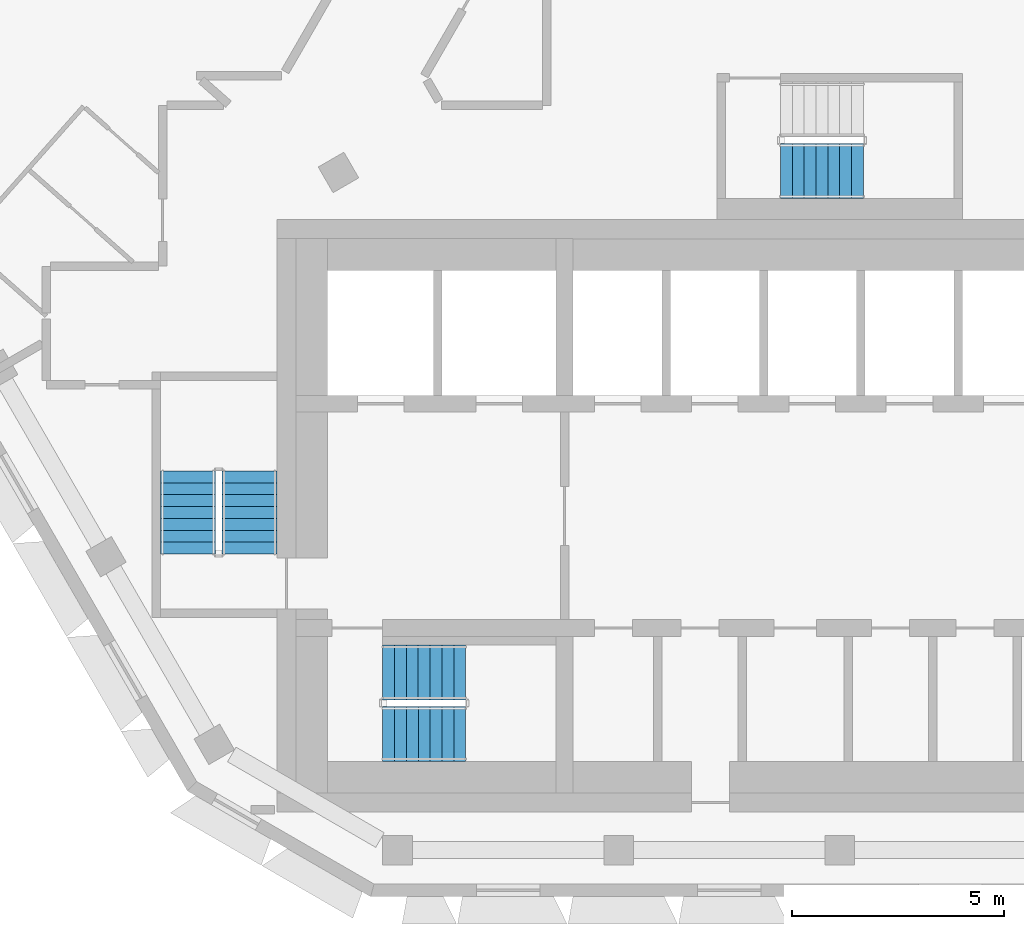
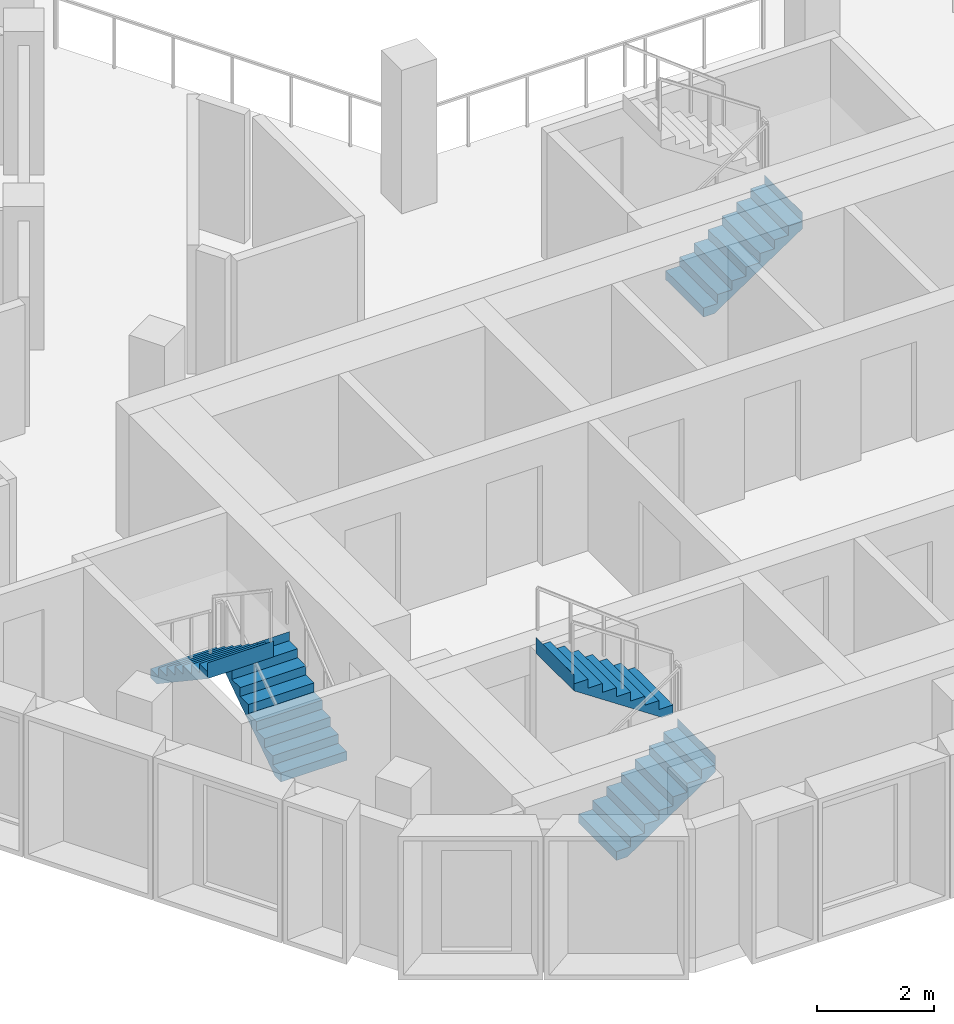
# One storey, part 8 of 14: 5 stair flights, 3 elements without a shape of their own.
"""IFC4 building model written with IfcOpenShell, lengths in metres."""

from ifc_helpers import new_model, si_unit, direction, frame, origin, place, context, subcontext, project, spatial, triangles, material, type_object, element, aggregate, save


model = new_model("IFC4")

# Units and contexts
model_context = context("Model", 3, precision=1e-05, world=origin(), true_north=direction((0.0, 1.0)))
body_context = subcontext(model_context, "Body", "Model", "MODEL_VIEW")
ifc_project = project(units=[si_unit("LENGTHUNIT", "METRE"), si_unit("AREAUNIT", "SQUARE_METRE"), si_unit("VOLUMEUNIT", "CUBIC_METRE"), si_unit("PLANEANGLEUNIT", "RADIAN"), si_unit("MASSUNIT", "GRAM", prefix="KILO")], contexts=[model_context])

# Site, building, storey
site_placement = place(None, origin())
site = spatial("IfcSite", under=ifc_project, at=site_placement, CompositionType="ELEMENT")
building_placement = place(site_placement, origin())
building = spatial("IfcBuilding", under=site, at=building_placement, Name="Beryl Residences", CompositionType="ELEMENT")
storey_placement = place(building_placement, frame((0.0, 0.0, 229.800048828125)))
storey = spatial("IfcBuildingStorey", under=building, at=storey_placement, Name="L71", CompositionType="ELEMENT", Elevation=229.800048828125)

# Stair, stair flights
ifc_material_1 = material(Name="Concrete C40/50", Category="concrete")
stair_type = type_object("IfcStairType", Name="ST1 protected exit stair, half-turn, 1300 mm flights", PredefinedType="HALF_TURN_STAIR", material=ifc_material_1)
stair_1_placement = place(storey_placement, origin())
stair_1 = element("IfcStair", 1, at=stair_1_placement, inside=storey, type_object=stair_type, Name="L71 PROTECTED EXIT STAIR ST-1", PredefinedType="HALF_TURN_STAIR")
ifc_material_2 = material(Name="Concrete C40/50", Category="concrete")
stair_flight_type = type_object("IfcStairFlightType", Name="SF1 stair flight 1300 mm", PredefinedType="STRAIGHT", material=ifc_material_2)
stair_flight_1_placement = place(storey_placement, frame((-10.800048828125, -17.14990234375, 0.0), z_axis=(0.0, 0.0, 1.0), x_axis=(1.0, 0.0, 0.0)))
stair_flight_1 = element("IfcStairFlight", 2, at=stair_flight_1_placement, type_object=stair_flight_type, Name="ST-1 flight 1", NumberOfRisers=8, NumberOfTreads=7, PredefinedType="STRAIGHT", RiserHeight=0.1875, TreadLength=0.28, context=body_context, shape_type="Tessellation", body=[
    triangles([(0.0, -0.64990234375, 0.0), (0.0, -0.324951171875, 0.0), (0.0, 0.0, 0.0), (0.0, 0.324951171875, 0.0), (0.0, 0.64990234375, 0.0), (0.0, -0.64990234375, 0.1875), (0.0, -0.324951171875, 0.1875), (0.0, 0.0, 0.1875), (0.0, 0.324951171875, 0.1875), (0.0, 0.64990234375, 0.1875), (0.280029296875, -0.64990234375, 0.1875), (0.280029296875, -0.324951171875, 0.1875), (0.280029296875, 0.0, 0.1875), (0.280029296875, 0.324951171875, 0.1875), (0.280029296875, 0.64990234375, 0.1875), (0.280029296875, -0.64990234375, 0.375), (0.280029296875, -0.324951171875, 0.375), (0.280029296875, 0.0, 0.375), (0.280029296875, 0.324951171875, 0.375), (0.280029296875, 0.64990234375, 0.375), (0.56005859375, -0.64990234375, 0.375), (0.56005859375, -0.324951171875, 0.375), (0.56005859375, 0.0, 0.375), (0.56005859375, 0.324951171875, 0.375), (0.56005859375, 0.64990234375, 0.375), (0.56005859375, -0.64990234375, 0.5625), (0.56005859375, -0.324951171875, 0.5625), (0.56005859375, 0.0, 0.5625), (0.56005859375, 0.324951171875, 0.5625), (0.56005859375, 0.64990234375, 0.5625), (0.840087890625, -0.64990234375, 0.5625), (0.840087890625, -0.324951171875, 0.5625), (0.840087890625, 0.0, 0.5625), (0.840087890625, 0.324951171875, 0.5625), (0.840087890625, 0.64990234375, 0.5625), (0.840087890625, -0.64990234375, 0.75), (0.840087890625, -0.324951171875, 0.75), (0.840087890625, 0.0, 0.75), (0.840087890625, 0.324951171875, 0.75), (0.840087890625, 0.64990234375, 0.75), (1.1201171875, -0.64990234375, 0.75), (1.1201171875, -0.324951171875, 0.75), (1.1201171875, 0.0, 0.75), (1.1201171875, 0.324951171875, 0.75), (1.1201171875, 0.64990234375, 0.75), (1.1201171875, -0.64990234375, 0.9375), (1.1201171875, -0.324951171875, 0.9375), (1.1201171875, 0.0, 0.9375), (1.1201171875, 0.324951171875, 0.9375), (1.1201171875, 0.64990234375, 0.9375), (1.39990234375, -0.64990234375, 0.9375), (1.39990234375, -0.324951171875, 0.9375), (1.39990234375, 0.0, 0.9375), (1.39990234375, 0.324951171875, 0.9375), (1.39990234375, 0.64990234375, 0.9375), (1.39990234375, -0.64990234375, 1.125), (1.39990234375, -0.324951171875, 1.125), (1.39990234375, 0.0, 1.125), (1.39990234375, 0.324951171875, 1.125), (1.39990234375, 0.64990234375, 1.125), (1.679931640625, -0.64990234375, 1.125), (1.679931640625, -0.324951171875, 1.125), (1.679931640625, 0.0, 1.125), (1.679931640625, 0.324951171875, 1.125), (1.679931640625, 0.64990234375, 1.125), (1.679931640625, -0.64990234375, 1.3125), (1.679931640625, -0.324951171875, 1.3125), (1.679931640625, 0.0, 1.3125), (1.679931640625, 0.324951171875, 1.3125), (1.679931640625, 0.64990234375, 1.3125), (1.9599609375, -0.64990234375, 1.3125), (1.9599609375, -0.324951171875, 1.3125), (1.9599609375, 0.0, 1.3125), (1.9599609375, 0.324951171875, 1.3125), (1.9599609375, 0.64990234375, 1.3125), (1.9599609375, -0.64990234375, 1.5), (1.9599609375, -0.324951171875, 1.5), (1.9599609375, 0.0, 1.5), (1.9599609375, 0.324951171875, 1.5), (1.9599609375, 0.64990234375, 1.5), (1.9609375, -0.64990234375, 1.5), (1.9609375, -0.324951171875, 1.5), (1.9609375, 0.0, 1.5), (1.9609375, 0.324951171875, 1.5), (1.9609375, 0.64990234375, 1.5), (1.9609375, -0.64990234375, 1.16796875), (1.9609375, -0.324951171875, 1.16796875), (1.9609375, 0.0, 1.16796875), (1.9609375, 0.324951171875, 1.16796875), (1.9609375, 0.64990234375, 1.16796875), (0.216796875, -0.64990234375, 0.0), (0.216796875, -0.324951171875, 0.0), (0.216796875, 0.0, 0.0), (0.216796875, 0.324951171875, 0.0), (0.216796875, 0.64990234375, 0.0)], [[1, 6, 7], [1, 7, 2], [2, 7, 8], [2, 8, 3], [3, 8, 9], [3, 9, 4], [4, 9, 10], [4, 10, 5], [6, 11, 12], [6, 12, 7], [7, 12, 13], [7, 13, 8], [8, 13, 14], [8, 14, 9], [9, 14, 15], [9, 15, 10], [11, 16, 17], [11, 17, 12], [12, 17, 18], [12, 18, 13], [13, 18, 19], [13, 19, 14], [14, 19, 20], [14, 20, 15], [16, 21, 22], [16, 22, 17], [17, 22, 23], [17, 23, 18], [18, 23, 24], [18, 24, 19], [19, 24, 25], [19, 25, 20], [21, 26, 27], [21, 27, 22], [22, 27, 28], [22, 28, 23], [23, 28, 29], [23, 29, 24], [24, 29, 30], [24, 30, 25], [26, 31, 32], [26, 32, 27], [27, 32, 33], [27, 33, 28], [28, 33, 34], [28, 34, 29], [29, 34, 35], [29, 35, 30], [31, 36, 37], [31, 37, 32], [32, 37, 38], [32, 38, 33], [33, 38, 39], [33, 39, 34], [34, 39, 40], [34, 40, 35], [36, 41, 42], [36, 42, 37], [37, 42, 43], [37, 43, 38], [38, 43, 44], [38, 44, 39], [39, 44, 45], [39, 45, 40], [41, 46, 47], [41, 47, 42], [42, 47, 48], [42, 48, 43], [43, 48, 49], [43, 49, 44], [44, 49, 50], [44, 50, 45], [46, 51, 52], [46, 52, 47], [47, 52, 53], [47, 53, 48], [48, 53, 54], [48, 54, 49], [49, 54, 55], [49, 55, 50], [51, 56, 57], [51, 57, 52], [52, 57, 58], [52, 58, 53], [53, 58, 59], [53, 59, 54], [54, 59, 60], [54, 60, 55], [56, 61, 62], [56, 62, 57], [57, 62, 63], [57, 63, 58], [58, 63, 64], [58, 64, 59], [59, 64, 65], [59, 65, 60], [61, 66, 67], [61, 67, 62], [62, 67, 68], [62, 68, 63], [63, 68, 69], [63, 69, 64], [64, 69, 70], [64, 70, 65], [66, 71, 72], [66, 72, 67], [67, 72, 73], [67, 73, 68], [68, 73, 74], [68, 74, 69], [69, 74, 75], [69, 75, 70], [71, 76, 77], [71, 77, 72], [72, 77, 78], [72, 78, 73], [73, 78, 79], [73, 79, 74], [74, 79, 80], [74, 80, 75], [76, 81, 82], [76, 82, 77], [77, 82, 83], [77, 83, 78], [78, 83, 84], [78, 84, 79], [79, 84, 85], [79, 85, 80], [81, 86, 87], [81, 87, 82], [82, 87, 88], [82, 88, 83], [83, 88, 89], [83, 89, 84], [84, 89, 90], [84, 90, 85], [86, 91, 92], [86, 92, 87], [87, 92, 93], [87, 93, 88], [88, 93, 94], [88, 94, 89], [89, 94, 95], [89, 95, 90], [91, 1, 2], [91, 2, 92], [92, 2, 3], [92, 3, 93], [93, 3, 4], [93, 4, 94], [94, 4, 5], [94, 5, 95], [1, 91, 86], [5, 90, 95], [86, 81, 76], [90, 80, 85], [86, 76, 71], [90, 75, 80], [86, 71, 66], [90, 70, 75], [86, 66, 61], [90, 65, 70], [61, 56, 51], [65, 55, 60], [86, 61, 51], [90, 55, 65], [51, 46, 41], [55, 45, 50], [86, 51, 41], [90, 45, 55], [41, 36, 31], [45, 35, 40], [86, 41, 31], [90, 35, 45], [31, 26, 21], [35, 25, 30], [86, 31, 21], [90, 25, 35], [21, 16, 11], [25, 15, 20], [86, 21, 11], [90, 15, 25], [1, 86, 11], [5, 15, 90], [11, 6, 1], [15, 5, 10]], closed=True),
])
stair_flight_2_placement = place(storey_placement, frame((-8.840087890625, -15.699951171875, 1.5), z_axis=(0.0, 0.0, 1.0), x_axis=(-1.0, 0.0, 0.0)))
stair_flight_2 = element("IfcStairFlight", 3, at=stair_flight_2_placement, type_object=stair_flight_type, Name="ST-1 flight 2", NumberOfRisers=8, NumberOfTreads=7, PredefinedType="STRAIGHT", RiserHeight=0.1875, TreadLength=0.28, context=body_context, shape_type="Tessellation", body=[
    triangles([(0.0, -0.64990234375, 0.0), (0.0, -0.324951171875, 0.0), (0.0, 0.0, 0.0), (0.0, 0.324951171875, 0.0), (0.0, 0.64990234375, 0.0), (0.0, -0.64990234375, 0.1875), (0.0, -0.324951171875, 0.1875), (0.0, 0.0, 0.1875), (0.0, 0.324951171875, 0.1875), (0.0, 0.64990234375, 0.1875), (0.280029296875, -0.64990234375, 0.1875), (0.280029296875, -0.324951171875, 0.1875), (0.280029296875, 0.0, 0.1875), (0.280029296875, 0.324951171875, 0.1875), (0.280029296875, 0.64990234375, 0.1875), (0.280029296875, -0.64990234375, 0.375), (0.280029296875, -0.324951171875, 0.375), (0.280029296875, 0.0, 0.375), (0.280029296875, 0.324951171875, 0.375), (0.280029296875, 0.64990234375, 0.375), (0.56005859375, -0.64990234375, 0.375), (0.56005859375, -0.324951171875, 0.375), (0.56005859375, 0.0, 0.375), (0.56005859375, 0.324951171875, 0.375), (0.56005859375, 0.64990234375, 0.375), (0.56005859375, -0.64990234375, 0.5625), (0.56005859375, -0.324951171875, 0.5625), (0.56005859375, 0.0, 0.5625), (0.56005859375, 0.324951171875, 0.5625), (0.56005859375, 0.64990234375, 0.5625), (0.840087890625, -0.64990234375, 0.5625), (0.840087890625, -0.324951171875, 0.5625), (0.840087890625, 0.0, 0.5625), (0.840087890625, 0.324951171875, 0.5625), (0.840087890625, 0.64990234375, 0.5625), (0.840087890625, -0.64990234375, 0.75), (0.840087890625, -0.324951171875, 0.75), (0.840087890625, 0.0, 0.75), (0.840087890625, 0.324951171875, 0.75), (0.840087890625, 0.64990234375, 0.75), (1.1201171875, -0.64990234375, 0.75), (1.1201171875, -0.324951171875, 0.75), (1.1201171875, 0.0, 0.75), (1.1201171875, 0.324951171875, 0.75), (1.1201171875, 0.64990234375, 0.75), (1.1201171875, -0.64990234375, 0.9375), (1.1201171875, -0.324951171875, 0.9375), (1.1201171875, 0.0, 0.9375), (1.1201171875, 0.324951171875, 0.9375), (1.1201171875, 0.64990234375, 0.9375), (1.39990234375, -0.64990234375, 0.9375), (1.39990234375, -0.324951171875, 0.9375), (1.39990234375, 0.0, 0.9375), (1.39990234375, 0.324951171875, 0.9375), (1.39990234375, 0.64990234375, 0.9375), (1.39990234375, -0.64990234375, 1.125), (1.39990234375, -0.324951171875, 1.125), (1.39990234375, 0.0, 1.125), (1.39990234375, 0.324951171875, 1.125), (1.39990234375, 0.64990234375, 1.125), (1.679931640625, -0.64990234375, 1.125), (1.679931640625, -0.324951171875, 1.125), (1.679931640625, 0.0, 1.125), (1.679931640625, 0.324951171875, 1.125), (1.679931640625, 0.64990234375, 1.125), (1.679931640625, -0.64990234375, 1.3125), (1.679931640625, -0.324951171875, 1.3125), (1.679931640625, 0.0, 1.3125), (1.679931640625, 0.324951171875, 1.3125), (1.679931640625, 0.64990234375, 1.3125), (1.9599609375, -0.64990234375, 1.3125), (1.9599609375, -0.324951171875, 1.3125), (1.9599609375, 0.0, 1.3125), (1.9599609375, 0.324951171875, 1.3125), (1.9599609375, 0.64990234375, 1.3125), (1.9599609375, -0.64990234375, 1.5), (1.9599609375, -0.324951171875, 1.5), (1.9599609375, 0.0, 1.5), (1.9599609375, 0.324951171875, 1.5), (1.9599609375, 0.64990234375, 1.5), (1.9609375, -0.64990234375, 1.5), (1.9609375, -0.324951171875, 1.5), (1.9609375, 0.0, 1.5), (1.9609375, 0.324951171875, 1.5), (1.9609375, 0.64990234375, 1.5), (1.9609375, -0.64990234375, 1.16796875), (1.9609375, -0.324951171875, 1.16796875), (1.9609375, 0.0, 1.16796875), (1.9609375, 0.324951171875, 1.16796875), (1.9609375, 0.64990234375, 1.16796875), (0.216796875, -0.64990234375, 0.0), (0.216796875, -0.324951171875, 0.0), (0.216796875, 0.0, 0.0), (0.216796875, 0.324951171875, 0.0), (0.216796875, 0.64990234375, 0.0)], [[1, 6, 7], [1, 7, 2], [2, 7, 8], [2, 8, 3], [3, 8, 9], [3, 9, 4], [4, 9, 10], [4, 10, 5], [6, 11, 12], [6, 12, 7], [7, 12, 13], [7, 13, 8], [8, 13, 14], [8, 14, 9], [9, 14, 15], [9, 15, 10], [11, 16, 17], [11, 17, 12], [12, 17, 18], [12, 18, 13], [13, 18, 19], [13, 19, 14], [14, 19, 20], [14, 20, 15], [16, 21, 22], [16, 22, 17], [17, 22, 23], [17, 23, 18], [18, 23, 24], [18, 24, 19], [19, 24, 25], [19, 25, 20], [21, 26, 27], [21, 27, 22], [22, 27, 28], [22, 28, 23], [23, 28, 29], [23, 29, 24], [24, 29, 30], [24, 30, 25], [26, 31, 32], [26, 32, 27], [27, 32, 33], [27, 33, 28], [28, 33, 34], [28, 34, 29], [29, 34, 35], [29, 35, 30], [31, 36, 37], [31, 37, 32], [32, 37, 38], [32, 38, 33], [33, 38, 39], [33, 39, 34], [34, 39, 40], [34, 40, 35], [36, 41, 42], [36, 42, 37], [37, 42, 43], [37, 43, 38], [38, 43, 44], [38, 44, 39], [39, 44, 45], [39, 45, 40], [41, 46, 47], [41, 47, 42], [42, 47, 48], [42, 48, 43], [43, 48, 49], [43, 49, 44], [44, 49, 50], [44, 50, 45], [46, 51, 52], [46, 52, 47], [47, 52, 53], [47, 53, 48], [48, 53, 54], [48, 54, 49], [49, 54, 55], [49, 55, 50], [51, 56, 57], [51, 57, 52], [52, 57, 58], [52, 58, 53], [53, 58, 59], [53, 59, 54], [54, 59, 60], [54, 60, 55], [56, 61, 62], [56, 62, 57], [57, 62, 63], [57, 63, 58], [58, 63, 64], [58, 64, 59], [59, 64, 65], [59, 65, 60], [61, 66, 67], [61, 67, 62], [62, 67, 68], [62, 68, 63], [63, 68, 69], [63, 69, 64], [64, 69, 70], [64, 70, 65], [66, 71, 72], [66, 72, 67], [67, 72, 73], [67, 73, 68], [68, 73, 74], [68, 74, 69], [69, 74, 75], [69, 75, 70], [71, 76, 77], [71, 77, 72], [72, 77, 78], [72, 78, 73], [73, 78, 79], [73, 79, 74], [74, 79, 80], [74, 80, 75], [76, 81, 82], [76, 82, 77], [77, 82, 83], [77, 83, 78], [78, 83, 84], [78, 84, 79], [79, 84, 85], [79, 85, 80], [81, 86, 87], [81, 87, 82], [82, 87, 88], [82, 88, 83], [83, 88, 89], [83, 89, 84], [84, 89, 90], [84, 90, 85], [86, 91, 92], [86, 92, 87], [87, 92, 93], [87, 93, 88], [88, 93, 94], [88, 94, 89], [89, 94, 95], [89, 95, 90], [91, 1, 2], [91, 2, 92], [92, 2, 3], [92, 3, 93], [93, 3, 4], [93, 4, 94], [94, 4, 5], [94, 5, 95], [1, 91, 86], [5, 90, 95], [86, 81, 76], [90, 80, 85], [86, 76, 71], [90, 75, 80], [86, 71, 66], [90, 70, 75], [86, 66, 61], [90, 65, 70], [61, 56, 51], [65, 55, 60], [86, 61, 51], [90, 55, 65], [51, 46, 41], [55, 45, 50], [86, 51, 41], [90, 45, 55], [41, 36, 31], [45, 35, 40], [86, 41, 31], [90, 35, 45], [31, 26, 21], [35, 25, 30], [86, 31, 21], [90, 25, 35], [21, 16, 11], [25, 15, 20], [86, 21, 11], [90, 15, 25], [1, 86, 11], [5, 15, 90], [11, 6, 1], [15, 5, 10]], closed=True),
])
aggregate(stair_1, [stair_flight_1, stair_flight_2])

stair_2_placement = place(storey_placement, origin())
stair_2 = element("IfcStair", 4, at=stair_2_placement, inside=storey, type_object=stair_type, Name="L71 PROTECTED EXIT STAIR ST-2", PredefinedType="HALF_TURN_STAIR")
stair_flight_3_placement = place(storey_placement, frame((-13.949951171875, -12.89990234375, 0.0), z_axis=(0.0, 0.0, 1.0), x_axis=(0.0, 1.0, 0.0)))
stair_flight_3 = element("IfcStairFlight", 5, at=stair_flight_3_placement, type_object=stair_flight_type, Name="ST-2 flight 1", NumberOfRisers=8, NumberOfTreads=7, PredefinedType="STRAIGHT", RiserHeight=0.1875, TreadLength=0.28, context=body_context, shape_type="Tessellation", body=[
    triangles([(0.0, -0.64990234375, 0.0), (0.0, -0.324951171875, 0.0), (0.0, 0.0, 0.0), (0.0, 0.324951171875, 0.0), (0.0, 0.64990234375, 0.0), (0.0, -0.64990234375, 0.1875), (0.0, -0.324951171875, 0.1875), (0.0, 0.0, 0.1875), (0.0, 0.324951171875, 0.1875), (0.0, 0.64990234375, 0.1875), (0.280029296875, -0.64990234375, 0.1875), (0.280029296875, -0.324951171875, 0.1875), (0.280029296875, 0.0, 0.1875), (0.280029296875, 0.324951171875, 0.1875), (0.280029296875, 0.64990234375, 0.1875), (0.280029296875, -0.64990234375, 0.375), (0.280029296875, -0.324951171875, 0.375), (0.280029296875, 0.0, 0.375), (0.280029296875, 0.324951171875, 0.375), (0.280029296875, 0.64990234375, 0.375), (0.56005859375, -0.64990234375, 0.375), (0.56005859375, -0.324951171875, 0.375), (0.56005859375, 0.0, 0.375), (0.56005859375, 0.324951171875, 0.375), (0.56005859375, 0.64990234375, 0.375), (0.56005859375, -0.64990234375, 0.5625), (0.56005859375, -0.324951171875, 0.5625), (0.56005859375, 0.0, 0.5625), (0.56005859375, 0.324951171875, 0.5625), (0.56005859375, 0.64990234375, 0.5625), (0.840087890625, -0.64990234375, 0.5625), (0.840087890625, -0.324951171875, 0.5625), (0.840087890625, 0.0, 0.5625), (0.840087890625, 0.324951171875, 0.5625), (0.840087890625, 0.64990234375, 0.5625), (0.840087890625, -0.64990234375, 0.75), (0.840087890625, -0.324951171875, 0.75), (0.840087890625, 0.0, 0.75), (0.840087890625, 0.324951171875, 0.75), (0.840087890625, 0.64990234375, 0.75), (1.1201171875, -0.64990234375, 0.75), (1.1201171875, -0.324951171875, 0.75), (1.1201171875, 0.0, 0.75), (1.1201171875, 0.324951171875, 0.75), (1.1201171875, 0.64990234375, 0.75), (1.1201171875, -0.64990234375, 0.9375), (1.1201171875, -0.324951171875, 0.9375), (1.1201171875, 0.0, 0.9375), (1.1201171875, 0.324951171875, 0.9375), (1.1201171875, 0.64990234375, 0.9375), (1.39990234375, -0.64990234375, 0.9375), (1.39990234375, -0.324951171875, 0.9375), (1.39990234375, 0.0, 0.9375), (1.39990234375, 0.324951171875, 0.9375), (1.39990234375, 0.64990234375, 0.9375), (1.39990234375, -0.64990234375, 1.125), (1.39990234375, -0.324951171875, 1.125), (1.39990234375, 0.0, 1.125), (1.39990234375, 0.324951171875, 1.125), (1.39990234375, 0.64990234375, 1.125), (1.679931640625, -0.64990234375, 1.125), (1.679931640625, -0.324951171875, 1.125), (1.679931640625, 0.0, 1.125), (1.679931640625, 0.324951171875, 1.125), (1.679931640625, 0.64990234375, 1.125), (1.679931640625, -0.64990234375, 1.3125), (1.679931640625, -0.324951171875, 1.3125), (1.679931640625, 0.0, 1.3125), (1.679931640625, 0.324951171875, 1.3125), (1.679931640625, 0.64990234375, 1.3125), (1.9599609375, -0.64990234375, 1.3125), (1.9599609375, -0.324951171875, 1.3125), (1.9599609375, 0.0, 1.3125), (1.9599609375, 0.324951171875, 1.3125), (1.9599609375, 0.64990234375, 1.3125), (1.9599609375, -0.64990234375, 1.5), (1.9599609375, -0.324951171875, 1.5), (1.9599609375, 0.0, 1.5), (1.9599609375, 0.324951171875, 1.5), (1.9599609375, 0.64990234375, 1.5), (1.9609375, -0.64990234375, 1.5), (1.9609375, -0.324951171875, 1.5), (1.9609375, 0.0, 1.5), (1.9609375, 0.324951171875, 1.5), (1.9609375, 0.64990234375, 1.5), (1.9609375, -0.64990234375, 1.16796875), (1.9609375, -0.324951171875, 1.16796875), (1.9609375, 0.0, 1.16796875), (1.9609375, 0.324951171875, 1.16796875), (1.9609375, 0.64990234375, 1.16796875), (0.216796875, -0.64990234375, 0.0), (0.216796875, -0.324951171875, 0.0), (0.216796875, 0.0, 0.0), (0.216796875, 0.324951171875, 0.0), (0.216796875, 0.64990234375, 0.0)], [[1, 6, 7], [1, 7, 2], [2, 7, 8], [2, 8, 3], [3, 8, 9], [3, 9, 4], [4, 9, 10], [4, 10, 5], [6, 11, 12], [6, 12, 7], [7, 12, 13], [7, 13, 8], [8, 13, 14], [8, 14, 9], [9, 14, 15], [9, 15, 10], [11, 16, 17], [11, 17, 12], [12, 17, 18], [12, 18, 13], [13, 18, 19], [13, 19, 14], [14, 19, 20], [14, 20, 15], [16, 21, 22], [16, 22, 17], [17, 22, 23], [17, 23, 18], [18, 23, 24], [18, 24, 19], [19, 24, 25], [19, 25, 20], [21, 26, 27], [21, 27, 22], [22, 27, 28], [22, 28, 23], [23, 28, 29], [23, 29, 24], [24, 29, 30], [24, 30, 25], [26, 31, 32], [26, 32, 27], [27, 32, 33], [27, 33, 28], [28, 33, 34], [28, 34, 29], [29, 34, 35], [29, 35, 30], [31, 36, 37], [31, 37, 32], [32, 37, 38], [32, 38, 33], [33, 38, 39], [33, 39, 34], [34, 39, 40], [34, 40, 35], [36, 41, 42], [36, 42, 37], [37, 42, 43], [37, 43, 38], [38, 43, 44], [38, 44, 39], [39, 44, 45], [39, 45, 40], [41, 46, 47], [41, 47, 42], [42, 47, 48], [42, 48, 43], [43, 48, 49], [43, 49, 44], [44, 49, 50], [44, 50, 45], [46, 51, 52], [46, 52, 47], [47, 52, 53], [47, 53, 48], [48, 53, 54], [48, 54, 49], [49, 54, 55], [49, 55, 50], [51, 56, 57], [51, 57, 52], [52, 57, 58], [52, 58, 53], [53, 58, 59], [53, 59, 54], [54, 59, 60], [54, 60, 55], [56, 61, 62], [56, 62, 57], [57, 62, 63], [57, 63, 58], [58, 63, 64], [58, 64, 59], [59, 64, 65], [59, 65, 60], [61, 66, 67], [61, 67, 62], [62, 67, 68], [62, 68, 63], [63, 68, 69], [63, 69, 64], [64, 69, 70], [64, 70, 65], [66, 71, 72], [66, 72, 67], [67, 72, 73], [67, 73, 68], [68, 73, 74], [68, 74, 69], [69, 74, 75], [69, 75, 70], [71, 76, 77], [71, 77, 72], [72, 77, 78], [72, 78, 73], [73, 78, 79], [73, 79, 74], [74, 79, 80], [74, 80, 75], [76, 81, 82], [76, 82, 77], [77, 82, 83], [77, 83, 78], [78, 83, 84], [78, 84, 79], [79, 84, 85], [79, 85, 80], [81, 86, 87], [81, 87, 82], [82, 87, 88], [82, 88, 83], [83, 88, 89], [83, 89, 84], [84, 89, 90], [84, 90, 85], [86, 91, 92], [86, 92, 87], [87, 92, 93], [87, 93, 88], [88, 93, 94], [88, 94, 89], [89, 94, 95], [89, 95, 90], [91, 1, 2], [91, 2, 92], [92, 2, 3], [92, 3, 93], [93, 3, 4], [93, 4, 94], [94, 4, 5], [94, 5, 95], [1, 91, 86], [5, 90, 95], [86, 81, 76], [90, 80, 85], [86, 76, 71], [90, 75, 80], [86, 71, 66], [90, 70, 75], [86, 66, 61], [90, 65, 70], [61, 56, 51], [65, 55, 60], [86, 61, 51], [90, 55, 65], [51, 46, 41], [55, 45, 50], [86, 51, 41], [90, 45, 55], [41, 36, 31], [45, 35, 40], [86, 41, 31], [90, 35, 45], [31, 26, 21], [35, 25, 30], [86, 31, 21], [90, 25, 35], [21, 16, 11], [25, 15, 20], [86, 21, 11], [90, 15, 25], [1, 86, 11], [5, 15, 90], [11, 6, 1], [15, 5, 10]], closed=True),
])
stair_flight_4_placement = place(storey_placement, frame((-15.39990234375, -10.93994140625, 1.5), z_axis=(0.0, 0.0, 1.0), x_axis=(0.0, -1.0, 0.0)))
stair_flight_4 = element("IfcStairFlight", 6, at=stair_flight_4_placement, type_object=stair_flight_type, Name="ST-2 flight 2", NumberOfRisers=8, NumberOfTreads=7, PredefinedType="STRAIGHT", RiserHeight=0.1875, TreadLength=0.28, context=body_context, shape_type="Tessellation", body=[
    triangles([(0.0, -0.64990234375, 0.0), (0.0, -0.324951171875, 0.0), (0.0, 0.0, 0.0), (0.0, 0.324951171875, 0.0), (0.0, 0.64990234375, 0.0), (0.0, -0.64990234375, 0.1875), (0.0, -0.324951171875, 0.1875), (0.0, 0.0, 0.1875), (0.0, 0.324951171875, 0.1875), (0.0, 0.64990234375, 0.1875), (0.280029296875, -0.64990234375, 0.1875), (0.280029296875, -0.324951171875, 0.1875), (0.280029296875, 0.0, 0.1875), (0.280029296875, 0.324951171875, 0.1875), (0.280029296875, 0.64990234375, 0.1875), (0.280029296875, -0.64990234375, 0.375), (0.280029296875, -0.324951171875, 0.375), (0.280029296875, 0.0, 0.375), (0.280029296875, 0.324951171875, 0.375), (0.280029296875, 0.64990234375, 0.375), (0.56005859375, -0.64990234375, 0.375), (0.56005859375, -0.324951171875, 0.375), (0.56005859375, 0.0, 0.375), (0.56005859375, 0.324951171875, 0.375), (0.56005859375, 0.64990234375, 0.375), (0.56005859375, -0.64990234375, 0.5625), (0.56005859375, -0.324951171875, 0.5625), (0.56005859375, 0.0, 0.5625), (0.56005859375, 0.324951171875, 0.5625), (0.56005859375, 0.64990234375, 0.5625), (0.840087890625, -0.64990234375, 0.5625), (0.840087890625, -0.324951171875, 0.5625), (0.840087890625, 0.0, 0.5625), (0.840087890625, 0.324951171875, 0.5625), (0.840087890625, 0.64990234375, 0.5625), (0.840087890625, -0.64990234375, 0.75), (0.840087890625, -0.324951171875, 0.75), (0.840087890625, 0.0, 0.75), (0.840087890625, 0.324951171875, 0.75), (0.840087890625, 0.64990234375, 0.75), (1.1201171875, -0.64990234375, 0.75), (1.1201171875, -0.324951171875, 0.75), (1.1201171875, 0.0, 0.75), (1.1201171875, 0.324951171875, 0.75), (1.1201171875, 0.64990234375, 0.75), (1.1201171875, -0.64990234375, 0.9375), (1.1201171875, -0.324951171875, 0.9375), (1.1201171875, 0.0, 0.9375), (1.1201171875, 0.324951171875, 0.9375), (1.1201171875, 0.64990234375, 0.9375), (1.39990234375, -0.64990234375, 0.9375), (1.39990234375, -0.324951171875, 0.9375), (1.39990234375, 0.0, 0.9375), (1.39990234375, 0.324951171875, 0.9375), (1.39990234375, 0.64990234375, 0.9375), (1.39990234375, -0.64990234375, 1.125), (1.39990234375, -0.324951171875, 1.125), (1.39990234375, 0.0, 1.125), (1.39990234375, 0.324951171875, 1.125), (1.39990234375, 0.64990234375, 1.125), (1.679931640625, -0.64990234375, 1.125), (1.679931640625, -0.324951171875, 1.125), (1.679931640625, 0.0, 1.125), (1.679931640625, 0.324951171875, 1.125), (1.679931640625, 0.64990234375, 1.125), (1.679931640625, -0.64990234375, 1.3125), (1.679931640625, -0.324951171875, 1.3125), (1.679931640625, 0.0, 1.3125), (1.679931640625, 0.324951171875, 1.3125), (1.679931640625, 0.64990234375, 1.3125), (1.9599609375, -0.64990234375, 1.3125), (1.9599609375, -0.324951171875, 1.3125), (1.9599609375, 0.0, 1.3125), (1.9599609375, 0.324951171875, 1.3125), (1.9599609375, 0.64990234375, 1.3125), (1.9599609375, -0.64990234375, 1.5), (1.9599609375, -0.324951171875, 1.5), (1.9599609375, 0.0, 1.5), (1.9599609375, 0.324951171875, 1.5), (1.9599609375, 0.64990234375, 1.5), (1.9609375, -0.64990234375, 1.5), (1.9609375, -0.324951171875, 1.5), (1.9609375, 0.0, 1.5), (1.9609375, 0.324951171875, 1.5), (1.9609375, 0.64990234375, 1.5), (1.9609375, -0.64990234375, 1.16796875), (1.9609375, -0.324951171875, 1.16796875), (1.9609375, 0.0, 1.16796875), (1.9609375, 0.324951171875, 1.16796875), (1.9609375, 0.64990234375, 1.16796875), (0.216796875, -0.64990234375, 0.0), (0.216796875, -0.324951171875, 0.0), (0.216796875, 0.0, 0.0), (0.216796875, 0.324951171875, 0.0), (0.216796875, 0.64990234375, 0.0)], [[1, 6, 7], [1, 7, 2], [2, 7, 8], [2, 8, 3], [3, 8, 9], [3, 9, 4], [4, 9, 10], [4, 10, 5], [6, 11, 12], [6, 12, 7], [7, 12, 13], [7, 13, 8], [8, 13, 14], [8, 14, 9], [9, 14, 15], [9, 15, 10], [11, 16, 17], [11, 17, 12], [12, 17, 18], [12, 18, 13], [13, 18, 19], [13, 19, 14], [14, 19, 20], [14, 20, 15], [16, 21, 22], [16, 22, 17], [17, 22, 23], [17, 23, 18], [18, 23, 24], [18, 24, 19], [19, 24, 25], [19, 25, 20], [21, 26, 27], [21, 27, 22], [22, 27, 28], [22, 28, 23], [23, 28, 29], [23, 29, 24], [24, 29, 30], [24, 30, 25], [26, 31, 32], [26, 32, 27], [27, 32, 33], [27, 33, 28], [28, 33, 34], [28, 34, 29], [29, 34, 35], [29, 35, 30], [31, 36, 37], [31, 37, 32], [32, 37, 38], [32, 38, 33], [33, 38, 39], [33, 39, 34], [34, 39, 40], [34, 40, 35], [36, 41, 42], [36, 42, 37], [37, 42, 43], [37, 43, 38], [38, 43, 44], [38, 44, 39], [39, 44, 45], [39, 45, 40], [41, 46, 47], [41, 47, 42], [42, 47, 48], [42, 48, 43], [43, 48, 49], [43, 49, 44], [44, 49, 50], [44, 50, 45], [46, 51, 52], [46, 52, 47], [47, 52, 53], [47, 53, 48], [48, 53, 54], [48, 54, 49], [49, 54, 55], [49, 55, 50], [51, 56, 57], [51, 57, 52], [52, 57, 58], [52, 58, 53], [53, 58, 59], [53, 59, 54], [54, 59, 60], [54, 60, 55], [56, 61, 62], [56, 62, 57], [57, 62, 63], [57, 63, 58], [58, 63, 64], [58, 64, 59], [59, 64, 65], [59, 65, 60], [61, 66, 67], [61, 67, 62], [62, 67, 68], [62, 68, 63], [63, 68, 69], [63, 69, 64], [64, 69, 70], [64, 70, 65], [66, 71, 72], [66, 72, 67], [67, 72, 73], [67, 73, 68], [68, 73, 74], [68, 74, 69], [69, 74, 75], [69, 75, 70], [71, 76, 77], [71, 77, 72], [72, 77, 78], [72, 78, 73], [73, 78, 79], [73, 79, 74], [74, 79, 80], [74, 80, 75], [76, 81, 82], [76, 82, 77], [77, 82, 83], [77, 83, 78], [78, 83, 84], [78, 84, 79], [79, 84, 85], [79, 85, 80], [81, 86, 87], [81, 87, 82], [82, 87, 88], [82, 88, 83], [83, 88, 89], [83, 89, 84], [84, 89, 90], [84, 90, 85], [86, 91, 92], [86, 92, 87], [87, 92, 93], [87, 93, 88], [88, 93, 94], [88, 94, 89], [89, 94, 95], [89, 95, 90], [91, 1, 2], [91, 2, 92], [92, 2, 3], [92, 3, 93], [93, 3, 4], [93, 4, 94], [94, 4, 5], [94, 5, 95], [1, 91, 86], [5, 90, 95], [86, 81, 76], [90, 80, 85], [86, 76, 71], [90, 75, 80], [86, 71, 66], [90, 70, 75], [86, 66, 61], [90, 65, 70], [61, 56, 51], [65, 55, 60], [86, 61, 51], [90, 55, 65], [51, 46, 41], [55, 45, 50], [86, 51, 41], [90, 45, 55], [41, 36, 31], [45, 35, 40], [86, 41, 31], [90, 35, 45], [31, 26, 21], [35, 25, 30], [86, 31, 21], [90, 25, 35], [21, 16, 11], [25, 15, 20], [86, 21, 11], [90, 15, 25], [1, 86, 11], [5, 15, 90], [11, 6, 1], [15, 5, 10]], closed=True),
])
aggregate(stair_2, [stair_flight_3, stair_flight_4])

# Stair, stair flight
stair_3_placement = place(storey_placement, origin())
stair_3 = element("IfcStair", 7, at=stair_3_placement, inside=storey, type_object=stair_type, Name="L71 PROTECTED EXIT STAIR ST-4", PredefinedType="HALF_TURN_STAIR")
stair_flight_5_placement = place(storey_placement, frame((-1.39990234375, -3.85009765625, 0.0), z_axis=(0.0, 0.0, 1.0), x_axis=(1.0, 0.0, 0.0)))
stair_flight_5 = element("IfcStairFlight", 8, at=stair_flight_5_placement, type_object=stair_flight_type, Name="ST-4 flight 1", NumberOfRisers=8, NumberOfTreads=7, PredefinedType="STRAIGHT", RiserHeight=0.1875, TreadLength=0.28, context=body_context, shape_type="Tessellation", body=[
    triangles([(0.0, -0.64990234375, 0.0), (0.0, -0.324951171875, 0.0), (0.0, 0.0, 0.0), (0.0, 0.324951171875, 0.0), (0.0, 0.64990234375, 0.0), (0.0, -0.64990234375, 0.1875), (0.0, -0.324951171875, 0.1875), (0.0, 0.0, 0.1875), (0.0, 0.324951171875, 0.1875), (0.0, 0.64990234375, 0.1875), (0.280029296875, -0.64990234375, 0.1875), (0.280029296875, -0.324951171875, 0.1875), (0.280029296875, 0.0, 0.1875), (0.280029296875, 0.324951171875, 0.1875), (0.280029296875, 0.64990234375, 0.1875), (0.280029296875, -0.64990234375, 0.375), (0.280029296875, -0.324951171875, 0.375), (0.280029296875, 0.0, 0.375), (0.280029296875, 0.324951171875, 0.375), (0.280029296875, 0.64990234375, 0.375), (0.56005859375, -0.64990234375, 0.375), (0.56005859375, -0.324951171875, 0.375), (0.56005859375, 0.0, 0.375), (0.56005859375, 0.324951171875, 0.375), (0.56005859375, 0.64990234375, 0.375), (0.56005859375, -0.64990234375, 0.5625), (0.56005859375, -0.324951171875, 0.5625), (0.56005859375, 0.0, 0.5625), (0.56005859375, 0.324951171875, 0.5625), (0.56005859375, 0.64990234375, 0.5625), (0.840087890625, -0.64990234375, 0.5625), (0.840087890625, -0.324951171875, 0.5625), (0.840087890625, 0.0, 0.5625), (0.840087890625, 0.324951171875, 0.5625), (0.840087890625, 0.64990234375, 0.5625), (0.840087890625, -0.64990234375, 0.75), (0.840087890625, -0.324951171875, 0.75), (0.840087890625, 0.0, 0.75), (0.840087890625, 0.324951171875, 0.75), (0.840087890625, 0.64990234375, 0.75), (1.1201171875, -0.64990234375, 0.75), (1.1201171875, -0.324951171875, 0.75), (1.1201171875, 0.0, 0.75), (1.1201171875, 0.324951171875, 0.75), (1.1201171875, 0.64990234375, 0.75), (1.1201171875, -0.64990234375, 0.9375), (1.1201171875, -0.324951171875, 0.9375), (1.1201171875, 0.0, 0.9375), (1.1201171875, 0.324951171875, 0.9375), (1.1201171875, 0.64990234375, 0.9375), (1.39990234375, -0.64990234375, 0.9375), (1.39990234375, -0.324951171875, 0.9375), (1.39990234375, 0.0, 0.9375), (1.39990234375, 0.324951171875, 0.9375), (1.39990234375, 0.64990234375, 0.9375), (1.39990234375, -0.64990234375, 1.125), (1.39990234375, -0.324951171875, 1.125), (1.39990234375, 0.0, 1.125), (1.39990234375, 0.324951171875, 1.125), (1.39990234375, 0.64990234375, 1.125), (1.679931640625, -0.64990234375, 1.125), (1.679931640625, -0.324951171875, 1.125), (1.679931640625, 0.0, 1.125), (1.679931640625, 0.324951171875, 1.125), (1.679931640625, 0.64990234375, 1.125), (1.679931640625, -0.64990234375, 1.3125), (1.679931640625, -0.324951171875, 1.3125), (1.679931640625, 0.0, 1.3125), (1.679931640625, 0.324951171875, 1.3125), (1.679931640625, 0.64990234375, 1.3125), (1.9599609375, -0.64990234375, 1.3125), (1.9599609375, -0.324951171875, 1.3125), (1.9599609375, 0.0, 1.3125), (1.9599609375, 0.324951171875, 1.3125), (1.9599609375, 0.64990234375, 1.3125), (1.9599609375, -0.64990234375, 1.5), (1.9599609375, -0.324951171875, 1.5), (1.9599609375, 0.0, 1.5), (1.9599609375, 0.324951171875, 1.5), (1.9599609375, 0.64990234375, 1.5), (1.9609375, -0.64990234375, 1.5), (1.9609375, -0.324951171875, 1.5), (1.9609375, 0.0, 1.5), (1.9609375, 0.324951171875, 1.5), (1.9609375, 0.64990234375, 1.5), (1.9609375, -0.64990234375, 1.16796875), (1.9609375, -0.324951171875, 1.16796875), (1.9609375, 0.0, 1.16796875), (1.9609375, 0.324951171875, 1.16796875), (1.9609375, 0.64990234375, 1.16796875), (0.216796875, -0.64990234375, 0.0), (0.216796875, -0.324951171875, 0.0), (0.216796875, 0.0, 0.0), (0.216796875, 0.324951171875, 0.0), (0.216796875, 0.64990234375, 0.0)], [[1, 6, 7], [1, 7, 2], [2, 7, 8], [2, 8, 3], [3, 8, 9], [3, 9, 4], [4, 9, 10], [4, 10, 5], [6, 11, 12], [6, 12, 7], [7, 12, 13], [7, 13, 8], [8, 13, 14], [8, 14, 9], [9, 14, 15], [9, 15, 10], [11, 16, 17], [11, 17, 12], [12, 17, 18], [12, 18, 13], [13, 18, 19], [13, 19, 14], [14, 19, 20], [14, 20, 15], [16, 21, 22], [16, 22, 17], [17, 22, 23], [17, 23, 18], [18, 23, 24], [18, 24, 19], [19, 24, 25], [19, 25, 20], [21, 26, 27], [21, 27, 22], [22, 27, 28], [22, 28, 23], [23, 28, 29], [23, 29, 24], [24, 29, 30], [24, 30, 25], [26, 31, 32], [26, 32, 27], [27, 32, 33], [27, 33, 28], [28, 33, 34], [28, 34, 29], [29, 34, 35], [29, 35, 30], [31, 36, 37], [31, 37, 32], [32, 37, 38], [32, 38, 33], [33, 38, 39], [33, 39, 34], [34, 39, 40], [34, 40, 35], [36, 41, 42], [36, 42, 37], [37, 42, 43], [37, 43, 38], [38, 43, 44], [38, 44, 39], [39, 44, 45], [39, 45, 40], [41, 46, 47], [41, 47, 42], [42, 47, 48], [42, 48, 43], [43, 48, 49], [43, 49, 44], [44, 49, 50], [44, 50, 45], [46, 51, 52], [46, 52, 47], [47, 52, 53], [47, 53, 48], [48, 53, 54], [48, 54, 49], [49, 54, 55], [49, 55, 50], [51, 56, 57], [51, 57, 52], [52, 57, 58], [52, 58, 53], [53, 58, 59], [53, 59, 54], [54, 59, 60], [54, 60, 55], [56, 61, 62], [56, 62, 57], [57, 62, 63], [57, 63, 58], [58, 63, 64], [58, 64, 59], [59, 64, 65], [59, 65, 60], [61, 66, 67], [61, 67, 62], [62, 67, 68], [62, 68, 63], [63, 68, 69], [63, 69, 64], [64, 69, 70], [64, 70, 65], [66, 71, 72], [66, 72, 67], [67, 72, 73], [67, 73, 68], [68, 73, 74], [68, 74, 69], [69, 74, 75], [69, 75, 70], [71, 76, 77], [71, 77, 72], [72, 77, 78], [72, 78, 73], [73, 78, 79], [73, 79, 74], [74, 79, 80], [74, 80, 75], [76, 81, 82], [76, 82, 77], [77, 82, 83], [77, 83, 78], [78, 83, 84], [78, 84, 79], [79, 84, 85], [79, 85, 80], [81, 86, 87], [81, 87, 82], [82, 87, 88], [82, 88, 83], [83, 88, 89], [83, 89, 84], [84, 89, 90], [84, 90, 85], [86, 91, 92], [86, 92, 87], [87, 92, 93], [87, 93, 88], [88, 93, 94], [88, 94, 89], [89, 94, 95], [89, 95, 90], [91, 1, 2], [91, 2, 92], [92, 2, 3], [92, 3, 93], [93, 3, 4], [93, 4, 94], [94, 4, 5], [94, 5, 95], [1, 91, 86], [5, 90, 95], [86, 81, 76], [90, 80, 85], [86, 76, 71], [90, 75, 80], [86, 71, 66], [90, 70, 75], [86, 66, 61], [90, 65, 70], [61, 56, 51], [65, 55, 60], [86, 61, 51], [90, 55, 65], [51, 46, 41], [55, 45, 50], [86, 51, 41], [90, 45, 55], [41, 36, 31], [45, 35, 40], [86, 41, 31], [90, 35, 45], [31, 26, 21], [35, 25, 30], [86, 31, 21], [90, 25, 35], [21, 16, 11], [25, 15, 20], [86, 21, 11], [90, 15, 25], [1, 86, 11], [5, 15, 90], [11, 6, 1], [15, 5, 10]], closed=True),
])
aggregate(stair_3, [stair_flight_5])

save(model, "model.ifc")
